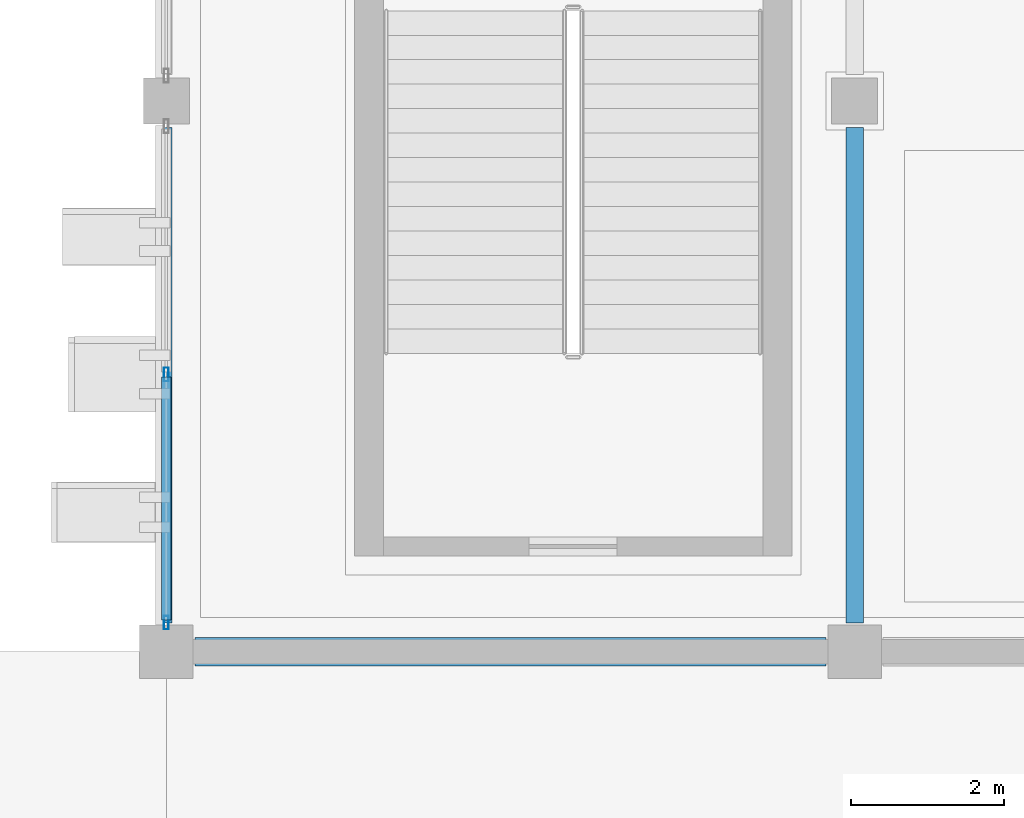
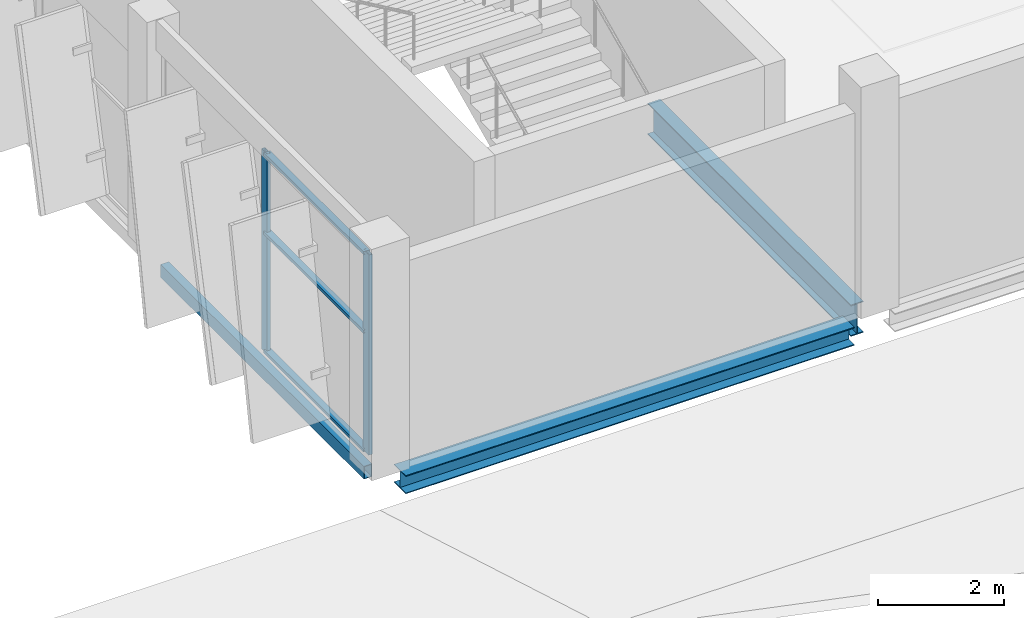
# One storey, part 28 of 124: 5 members, 3 beams, 1 element without a shape of its own.
"""IFC4 building model written with IfcOpenShell, lengths in metres."""

from ifc_helpers import new_model, si_unit, direction, frame, origin, origin_2d, place, context, subcontext, project, spatial, hollow_rectangle, i_section, extrude, material, layer, layer_set, material_profile, profile_set, type_object, element, aggregate, save


model = new_model("IFC4")

# Units and contexts
model_context = context("Model", 3, precision=1e-05, world=origin(), true_north=direction((0.0, 1.0)))
body_context = subcontext(model_context, "Body", "Model", "MODEL_VIEW")
ifc_project = project(units=[si_unit("LENGTHUNIT", "METRE"), si_unit("AREAUNIT", "SQUARE_METRE"), si_unit("VOLUMEUNIT", "CUBIC_METRE"), si_unit("PLANEANGLEUNIT", "RADIAN"), si_unit("MASSUNIT", "GRAM", prefix="KILO")], contexts=[model_context])

# Site, building, storey
site_placement = place(None, origin())
site = spatial("IfcSite", under=ifc_project, at=site_placement, CompositionType="ELEMENT")
building_placement = place(site_placement, origin())
building = spatial("IfcBuilding", under=site, at=building_placement, Name="Celestram Park Convention Centre", CompositionType="ELEMENT")
storey_placement = place(building_placement, frame((0.0, 0.0, 15.300048828125)))
storey = spatial("IfcBuildingStorey", under=building, at=storey_placement, Name="L03", CompositionType="ELEMENT", Elevation=15.300048828125)

# Curtain wall, members
ifc_material_1 = material(Name="Anodised Aluminium Alloy 6063-T6", Category="aluminium")
ifc_layer = layer(ifc_material_1, 0.179931640625)
ifc_layer_set = layer_set([ifc_layer], Name="Anodised Aluminium Alloy 6063-T6")
curtain_wall_type = type_object("IfcCurtainWallType", Name="ARC-CW-655X389", PredefinedType="NOTDEFINED", material=ifc_layer_set)
curtain_wall_placement = place(storey_placement, origin())
curtain_wall = element("IfcCurtainWall", 1, at=curtain_wall_placement, inside=storey, type_object=curtain_wall_type, Name="Unitised curtain wall CU-L03-195", PredefinedType="NOTDEFINED")
ifc_material_profile_1 = material_profile(ifc_material_1, hollow_rectangle(XDim=0.06494140625, YDim=0.179931640625, WallThickness=0.00390625, at=origin_2d()), Name="ALU65X180X4")
ifc_profile_set_1 = profile_set([ifc_material_profile_1], Name="Anodised Aluminium Alloy 6063-T6")
member_type_1 = type_object("IfcMemberType", Name="ARC-CWM-150", PredefinedType="MULLION", material=ifc_profile_set_1)
member_1_placement = place(storey_placement, frame((36.0, 108.380615234375, 0.0), z_axis=(0.0, 0.0, 1.0), x_axis=(-1.0, 0.0, 0.0)))
member_1 = element("IfcMember", 2, at=member_1_placement, type_object=member_type_1, Name="CW-65X38 mullion 1", PredefinedType="MULLION", context=body_context, shape_type="SweptSolid", body=[
    extrude(hollow_rectangle(XDim=0.06494140625, YDim=0.179931640625, WallThickness=0.00390625, at=origin_2d()), origin(), (0.0, 0.0, 1.0), 3.89404296875),
])
member_2_placement = place(storey_placement, frame((36.0, 111.625, 0.0), z_axis=(0.0, 0.0, 1.0), x_axis=(-1.0, 0.0, 0.0)))
member_2 = element("IfcMember", 3, at=member_2_placement, type_object=member_type_1, Name="CW-65X38 mullion 2", PredefinedType="MULLION", context=body_context, shape_type="SweptSolid", body=[
    extrude(hollow_rectangle(XDim=0.06494140625, YDim=0.179931640625, WallThickness=0.00390625, at=origin_2d()), origin(), (0.0, 0.0, 1.0), 3.89404296875),
])
ifc_material_profile_2 = material_profile(ifc_material_1, hollow_rectangle(XDim=0.1201171875, YDim=0.06005859375, WallThickness=0.0029296875, at=origin_2d()), Name="ALU120X60X3")
ifc_profile_set_2 = profile_set([ifc_material_profile_2], Name="Anodised Aluminium Alloy 6063-T6")
member_type_2 = type_object("IfcMemberType", Name="ARC-CWT-120", PredefinedType="USERDEFINED", material=ifc_profile_set_2)
member_3_placement = place(storey_placement, frame((36.0, 108.4130859375, 0.030029296875), z_axis=(0.0, 1.0, 0.0), x_axis=(-1.0, 0.0, 0.0)))
member_3 = element("IfcMember", 4, at=member_3_placement, type_object=member_type_2, Name="CW-65X38 transom 1.1", ObjectType="TRANSOM", PredefinedType="USERDEFINED", context=body_context, shape_type="SweptSolid", body=[
    extrude(hollow_rectangle(XDim=0.1201171875, YDim=0.06005859375, WallThickness=0.0029296875, at=origin_2d()), origin(), (0.0, 0.0, 1.0), 3.179443359375),
])
member_4_placement = place(storey_placement, frame((36.0, 108.4130859375, 2.3359375), z_axis=(0.0, 1.0, 0.0), x_axis=(-1.0, 0.0, 0.0)))
member_4 = element("IfcMember", 5, at=member_4_placement, type_object=member_type_2, Name="CW-65X38 transom 1.2", ObjectType="TRANSOM", PredefinedType="USERDEFINED", context=body_context, shape_type="SweptSolid", body=[
    extrude(hollow_rectangle(XDim=0.1201171875, YDim=0.06005859375, WallThickness=0.0029296875, at=origin_2d()), origin(), (0.0, 0.0, 1.0), 3.179443359375),
])
member_5_placement = place(storey_placement, frame((36.0, 108.4130859375, 3.864013671875), z_axis=(0.0, 1.0, 0.0), x_axis=(-1.0, 0.0, 0.0)))
member_5 = element("IfcMember", 6, at=member_5_placement, type_object=member_type_2, Name="CW-65X38 transom 1.3", ObjectType="TRANSOM", PredefinedType="USERDEFINED", context=body_context, shape_type="SweptSolid", body=[
    extrude(hollow_rectangle(XDim=0.1201171875, YDim=0.06005859375, WallThickness=0.0029296875, at=origin_2d()), origin(), (0.0, 0.0, 1.0), 3.179443359375),
])
aggregate(curtain_wall, [member_1, member_2, member_3, member_4, member_5])

# Beams
ifc_material_2 = material(Name="Steel ASTM A992 Grade 50", Category="steel")
ifc_material_profile_3 = material_profile(ifc_material_2, i_section(OverallWidth=0.22900390625, OverallDepth=0.612060546875, WebThickness=0.011962890625, FlangeThickness=0.01953125, at=origin_2d()), Name="W24X84")
ifc_profile_set_3 = profile_set([ifc_material_profile_3], Name="Steel ASTM A992 Grade 50")
beam_type_1 = type_object("IfcBeamType", Name="STR-BM-W24X84", PredefinedType="BEAM", material=ifc_profile_set_3)
beam_1_placement = place(storey_placement, frame((45.0, 108.373046875, -0.55615234375), z_axis=(0.0, 1.0, 0.0), x_axis=(-1.0, 0.0, 0.0)))
element("IfcBeam", 7, at=beam_1_placement, inside=storey, type_object=beam_type_1, Name="Primary Y-girder BG-L03-0016", PredefinedType="BEAM", context=body_context, shape_type="SweptSolid", body=[
    extrude(i_section(OverallWidth=0.22900390625, OverallDepth=0.612060546875, WebThickness=0.011962890625, FlangeThickness=0.01953125, at=origin_2d()), origin(), (0.0, 0.0, 1.0), 6.47900390625),
])
ifc_material_3 = material(Name="Steel ASTM A500 Grade C", Category="steel")
ifc_material_profile_4 = material_profile(ifc_material_3, hollow_rectangle(XDim=0.14990234375, YDim=0.25, WallThickness=0.010009765625, at=origin_2d()), Name="HSS250X150X10")
ifc_profile_set_4 = profile_set([ifc_material_profile_4], Name="Steel ASTM A500 Grade C")
beam_type_2 = type_object("IfcBeamType", Name="STR-SPN-HSS250X150", PredefinedType="SPANDREL", material=ifc_profile_set_4)
beam_2_placement = place(storey_placement, frame((36.0, 108.373046875, -0.375), z_axis=(0.0, 1.0, 0.0), x_axis=(-1.0, 0.0, 0.0)))
element("IfcBeam", 8, at=beam_2_placement, inside=storey, type_object=beam_type_2, Name="Primary Y-girder BG-L03-0002", PredefinedType="SPANDREL", context=body_context, shape_type="SweptSolid", body=[
    extrude(hollow_rectangle(XDim=0.14990234375, YDim=0.25, WallThickness=0.010009765625, at=origin_2d()), origin(), (0.0, 0.0, 1.0), 6.47900390625),
])
ifc_material_profile_5 = material_profile(ifc_material_2, i_section(OverallWidth=0.367919921875, OverallDepth=0.35595703125, WebThickness=0.01123046875, FlangeThickness=0.01806640625, at=origin_2d()), Name="W14X90")
ifc_profile_set_5 = profile_set([ifc_material_profile_5], Name="Steel ASTM A992 Grade 50")
beam_type_3 = type_object("IfcBeamType", Name="STR-SPN-W14X90", PredefinedType="SPANDREL", material=ifc_profile_set_5)
beam_3_placement = place(storey_placement, frame((36.373046875, 108.0, -0.427978515625), z_axis=(1.0, 0.0, 0.0), x_axis=(0.0, 1.0, 0.0)))
element("IfcBeam", 9, at=beam_3_placement, inside=storey, type_object=beam_type_3, Name="Primary X-girder BG-L03-0001", PredefinedType="SPANDREL", context=body_context, shape_type="SweptSolid", body=[
    extrude(i_section(OverallWidth=0.367919921875, OverallDepth=0.35595703125, WebThickness=0.01123046875, FlangeThickness=0.01806640625, at=origin_2d()), origin(), (0.0, 0.0, 1.0), 8.25390625),
])

save(model, "model.ifc")
